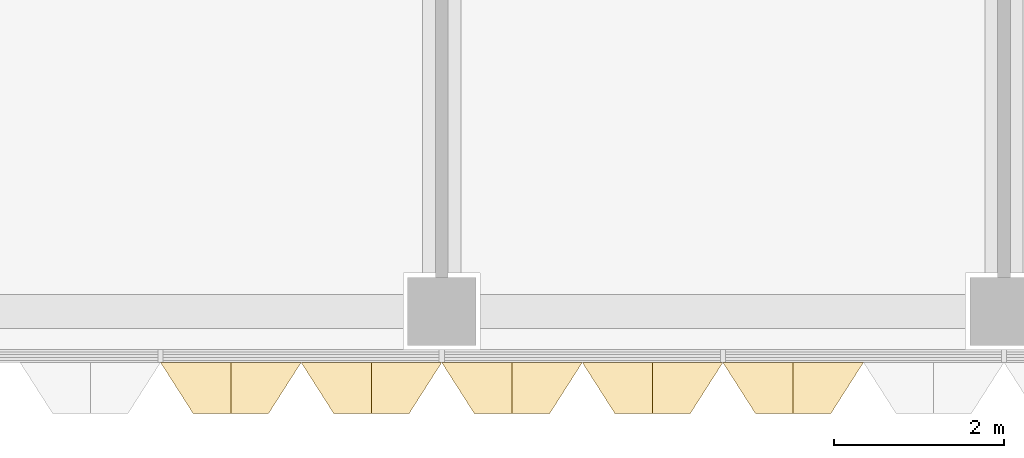
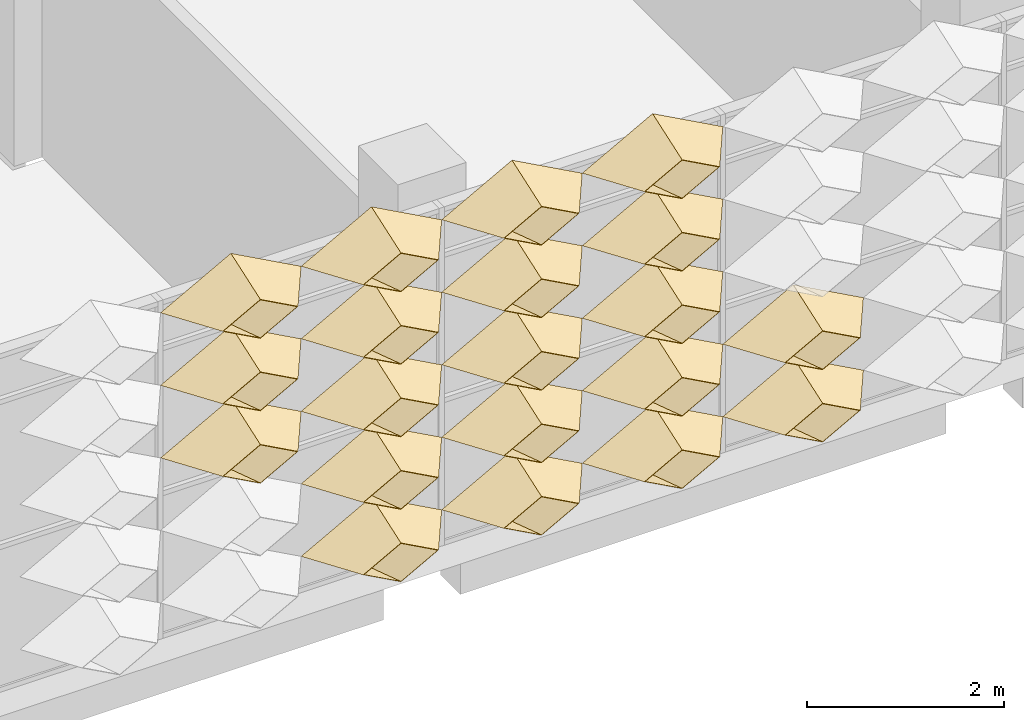
# One storey, part 60 of 85: 20 coverings.
"""IFC4 building model written with IfcOpenShell, lengths in metres."""

from ifc_helpers import new_model, entity, si_unit, direction, frame, origin, place, context, subcontext, project, spatial, material, layer, layer_set, type_object, element, save


model = new_model("IFC4")

# Units and contexts
model_context = context("Model", 3, precision=1e-05, world=origin(), true_north=direction((0.0, 1.0)))
body_context = subcontext(model_context, "Body", "Model", "MODEL_VIEW")
ifc_project = project(units=[si_unit("LENGTHUNIT", "METRE"), si_unit("AREAUNIT", "SQUARE_METRE"), si_unit("VOLUMEUNIT", "CUBIC_METRE"), si_unit("PLANEANGLEUNIT", "RADIAN"), si_unit("MASSUNIT", "GRAM", prefix="KILO")], contexts=[model_context])

# Site, building, storey
site_placement = place(None, origin())
site = spatial("IfcSite", under=ifc_project, at=site_placement, CompositionType="ELEMENT")
building_placement = place(site_placement, origin())
building = spatial("IfcBuilding", under=site, at=building_placement, Name="Lantern Court Research Institute", CompositionType="ELEMENT")
storey_placement = place(building_placement, frame((0.0, 0.0, 18.89990234375)))
storey = spatial("IfcBuildingStorey", under=building, at=storey_placement, Name="L04", CompositionType="ELEMENT", Elevation=18.89990234375)

# Coverings
ifc_material = material(Name="Anodised aluminium", Category="aluminium")
ifc_layer = layer(ifc_material, 0.01611328125)
ifc_layer_set = layer_set([ifc_layer], Name="Anodised aluminium")
covering_type = type_object("IfcCoveringType", Name="Fin cassette 1650 x 900 x 600 aluminium", PredefinedType="CLADDING", material=ifc_layer_set)
covering_1_placement = place(storey_placement, frame((65.175048828125, -8.39990234375, 0.4501953125), z_axis=(0.0, -1.0, 0.0), x_axis=(1.0, 0.0, 0.0)))
cartesian_point_1 = entity("IfcCartesianPoint", [0.824951171875, 0.0])
cartesian_point_2 = entity("IfcCartesianPoint", [0.79150390625, 0.0])
cartesian_point_3 = entity("IfcCartesianPoint", [0.44189453125, 0.0])
cartesian_point_4 = entity("IfcCartesianPoint", [0.43359375, 0.0])
element("IfcCovering", 1, at=covering_1_placement, inside=storey, type_object=covering_type, Name="Fin cassette V5S-L04 1.40", PredefinedType="CLADDING", context=body_context, shape_type="SweptSolid", body=[
    entity("IfcExtrudedAreaSolidTapered", entity("IfcArbitraryProfileDefWithVoids", "AREA", None, entity("IfcPolyline", [cartesian_point_1, entity("IfcCartesianPoint", [0.0, 0.449951171875]), entity("IfcCartesianPoint", [-0.824951171875, 0.0]), entity("IfcCartesianPoint", [0.0, -0.449951171875]), cartesian_point_1]), [entity("IfcPolyline", [cartesian_point_2, entity("IfcCartesianPoint", [0.0, 0.431884765625]), entity("IfcCartesianPoint", [-0.79150390625, 0.0]), entity("IfcCartesianPoint", [0.0, -0.431884765625]), cartesian_point_2])]), entity("IfcAxis2Placement3D", entity("IfcCartesianPoint", [0.0, 0.0, 0.0])), entity("IfcDirection", [0.0, 0.0, 1.0]), 0.60009765625, entity("IfcArbitraryProfileDefWithVoids", "AREA", None, entity("IfcPolyline", [cartesian_point_3, entity("IfcCartesianPoint", [0.0, 0.240966796875]), entity("IfcCartesianPoint", [-0.44189453125, 0.0]), entity("IfcCartesianPoint", [0.0, -0.240966796875]), cartesian_point_3]), [entity("IfcPolyline", [cartesian_point_4, entity("IfcCartesianPoint", [0.0, 0.236572265625]), entity("IfcCartesianPoint", [-0.43359375, 0.0]), entity("IfcCartesianPoint", [0.0, -0.236572265625]), cartesian_point_4])])),
])
covering_2_placement = place(storey_placement, frame((66.824951171875, -8.39990234375, 0.4501953125), z_axis=(0.0, -1.0, 0.0), x_axis=(1.0, 0.0, 0.0)))
cartesian_point_5 = entity("IfcCartesianPoint", [0.824951171875, 0.0])
cartesian_point_6 = entity("IfcCartesianPoint", [0.79150390625, 0.0])
cartesian_point_7 = entity("IfcCartesianPoint", [0.44189453125, 0.0])
cartesian_point_8 = entity("IfcCartesianPoint", [0.43359375, 0.0])
element("IfcCovering", 2, at=covering_2_placement, inside=storey, type_object=covering_type, Name="Fin cassette V5S-L04 1.41", PredefinedType="CLADDING", context=body_context, shape_type="SweptSolid", body=[
    entity("IfcExtrudedAreaSolidTapered", entity("IfcArbitraryProfileDefWithVoids", "AREA", None, entity("IfcPolyline", [cartesian_point_5, entity("IfcCartesianPoint", [0.0, 0.449951171875]), entity("IfcCartesianPoint", [-0.824951171875, 0.0]), entity("IfcCartesianPoint", [0.0, -0.449951171875]), cartesian_point_5]), [entity("IfcPolyline", [cartesian_point_6, entity("IfcCartesianPoint", [0.0, 0.431884765625]), entity("IfcCartesianPoint", [-0.79150390625, 0.0]), entity("IfcCartesianPoint", [0.0, -0.431884765625]), cartesian_point_6])]), entity("IfcAxis2Placement3D", entity("IfcCartesianPoint", [0.0, 0.0, 0.0])), entity("IfcDirection", [0.0, 0.0, 1.0]), 0.60009765625, entity("IfcArbitraryProfileDefWithVoids", "AREA", None, entity("IfcPolyline", [cartesian_point_7, entity("IfcCartesianPoint", [0.0, 0.240966796875]), entity("IfcCartesianPoint", [-0.44189453125, 0.0]), entity("IfcCartesianPoint", [0.0, -0.240966796875]), cartesian_point_7]), [entity("IfcPolyline", [cartesian_point_8, entity("IfcCartesianPoint", [0.0, 0.236572265625]), entity("IfcCartesianPoint", [-0.43359375, 0.0]), entity("IfcCartesianPoint", [0.0, -0.236572265625]), cartesian_point_8])])),
])
covering_3_placement = place(storey_placement, frame((68.47509765625, -8.39990234375, 0.4501953125), z_axis=(0.0, -1.0, 0.0), x_axis=(1.0, 0.0, 0.0)))
cartesian_point_9 = entity("IfcCartesianPoint", [0.824951171875, 0.0])
cartesian_point_10 = entity("IfcCartesianPoint", [0.79150390625, 0.0])
cartesian_point_11 = entity("IfcCartesianPoint", [0.44189453125, 0.0])
cartesian_point_12 = entity("IfcCartesianPoint", [0.43359375, 0.0])
element("IfcCovering", 3, at=covering_3_placement, inside=storey, type_object=covering_type, Name="Fin cassette V5S-L04 1.42", PredefinedType="CLADDING", context=body_context, shape_type="SweptSolid", body=[
    entity("IfcExtrudedAreaSolidTapered", entity("IfcArbitraryProfileDefWithVoids", "AREA", None, entity("IfcPolyline", [cartesian_point_9, entity("IfcCartesianPoint", [0.0, 0.449951171875]), entity("IfcCartesianPoint", [-0.824951171875, 0.0]), entity("IfcCartesianPoint", [0.0, -0.449951171875]), cartesian_point_9]), [entity("IfcPolyline", [cartesian_point_10, entity("IfcCartesianPoint", [0.0, 0.431884765625]), entity("IfcCartesianPoint", [-0.79150390625, 0.0]), entity("IfcCartesianPoint", [0.0, -0.431884765625]), cartesian_point_10])]), entity("IfcAxis2Placement3D", entity("IfcCartesianPoint", [0.0, 0.0, 0.0])), entity("IfcDirection", [0.0, 0.0, 1.0]), 0.60009765625, entity("IfcArbitraryProfileDefWithVoids", "AREA", None, entity("IfcPolyline", [cartesian_point_11, entity("IfcCartesianPoint", [0.0, 0.240966796875]), entity("IfcCartesianPoint", [-0.44189453125, 0.0]), entity("IfcCartesianPoint", [0.0, -0.240966796875]), cartesian_point_11]), [entity("IfcPolyline", [cartesian_point_12, entity("IfcCartesianPoint", [0.0, 0.236572265625]), entity("IfcCartesianPoint", [-0.43359375, 0.0]), entity("IfcCartesianPoint", [0.0, -0.236572265625]), cartesian_point_12])])),
])
covering_4_placement = place(storey_placement, frame((70.125, -8.39990234375, 0.4501953125), z_axis=(0.0, -1.0, 0.0), x_axis=(1.0, 0.0, 0.0)))
cartesian_point_13 = entity("IfcCartesianPoint", [0.824951171875, 0.0])
cartesian_point_14 = entity("IfcCartesianPoint", [0.79150390625, 0.0])
cartesian_point_15 = entity("IfcCartesianPoint", [0.44189453125, 0.0])
cartesian_point_16 = entity("IfcCartesianPoint", [0.43359375, 0.0])
element("IfcCovering", 4, at=covering_4_placement, inside=storey, type_object=covering_type, Name="Fin cassette V5S-L04 1.43", PredefinedType="CLADDING", context=body_context, shape_type="SweptSolid", body=[
    entity("IfcExtrudedAreaSolidTapered", entity("IfcArbitraryProfileDefWithVoids", "AREA", None, entity("IfcPolyline", [cartesian_point_13, entity("IfcCartesianPoint", [0.0, 0.449951171875]), entity("IfcCartesianPoint", [-0.824951171875, 0.0]), entity("IfcCartesianPoint", [0.0, -0.449951171875]), cartesian_point_13]), [entity("IfcPolyline", [cartesian_point_14, entity("IfcCartesianPoint", [0.0, 0.431884765625]), entity("IfcCartesianPoint", [-0.79150390625, 0.0]), entity("IfcCartesianPoint", [0.0, -0.431884765625]), cartesian_point_14])]), entity("IfcAxis2Placement3D", entity("IfcCartesianPoint", [0.0, 0.0, 0.0])), entity("IfcDirection", [0.0, 0.0, 1.0]), 0.60009765625, entity("IfcArbitraryProfileDefWithVoids", "AREA", None, entity("IfcPolyline", [cartesian_point_15, entity("IfcCartesianPoint", [0.0, 0.240966796875]), entity("IfcCartesianPoint", [-0.44189453125, 0.0]), entity("IfcCartesianPoint", [0.0, -0.240966796875]), cartesian_point_15]), [entity("IfcPolyline", [cartesian_point_16, entity("IfcCartesianPoint", [0.0, 0.236572265625]), entity("IfcCartesianPoint", [-0.43359375, 0.0]), entity("IfcCartesianPoint", [0.0, -0.236572265625]), cartesian_point_16])])),
])
covering_5_placement = place(storey_placement, frame((65.175048828125, -8.39990234375, 1.35009765625), z_axis=(0.0, -1.0, 0.0), x_axis=(1.0, 0.0, 0.0)))
cartesian_point_17 = entity("IfcCartesianPoint", [0.824951171875, 0.0])
cartesian_point_18 = entity("IfcCartesianPoint", [0.79150390625, 0.0])
cartesian_point_19 = entity("IfcCartesianPoint", [0.44189453125, 0.0])
cartesian_point_20 = entity("IfcCartesianPoint", [0.43359375, 0.0])
element("IfcCovering", 5, at=covering_5_placement, inside=storey, type_object=covering_type, Name="Fin cassette V5S-L04 2.40", PredefinedType="CLADDING", context=body_context, shape_type="SweptSolid", body=[
    entity("IfcExtrudedAreaSolidTapered", entity("IfcArbitraryProfileDefWithVoids", "AREA", None, entity("IfcPolyline", [cartesian_point_17, entity("IfcCartesianPoint", [0.0, 0.449951171875]), entity("IfcCartesianPoint", [-0.824951171875, 0.0]), entity("IfcCartesianPoint", [0.0, -0.449951171875]), cartesian_point_17]), [entity("IfcPolyline", [cartesian_point_18, entity("IfcCartesianPoint", [0.0, 0.431884765625]), entity("IfcCartesianPoint", [-0.79150390625, 0.0]), entity("IfcCartesianPoint", [0.0, -0.431884765625]), cartesian_point_18])]), entity("IfcAxis2Placement3D", entity("IfcCartesianPoint", [0.0, 0.0, 0.0])), entity("IfcDirection", [0.0, 0.0, 1.0]), 0.60009765625, entity("IfcArbitraryProfileDefWithVoids", "AREA", None, entity("IfcPolyline", [cartesian_point_19, entity("IfcCartesianPoint", [0.0, 0.240966796875]), entity("IfcCartesianPoint", [-0.44189453125, 0.0]), entity("IfcCartesianPoint", [0.0, -0.240966796875]), cartesian_point_19]), [entity("IfcPolyline", [cartesian_point_20, entity("IfcCartesianPoint", [0.0, 0.236572265625]), entity("IfcCartesianPoint", [-0.43359375, 0.0]), entity("IfcCartesianPoint", [0.0, -0.236572265625]), cartesian_point_20])])),
])
covering_6_placement = place(storey_placement, frame((66.824951171875, -8.39990234375, 1.35009765625), z_axis=(0.0, -1.0, 0.0), x_axis=(1.0, 0.0, 0.0)))
cartesian_point_21 = entity("IfcCartesianPoint", [0.824951171875, 0.0])
cartesian_point_22 = entity("IfcCartesianPoint", [0.79150390625, 0.0])
cartesian_point_23 = entity("IfcCartesianPoint", [0.44189453125, 0.0])
cartesian_point_24 = entity("IfcCartesianPoint", [0.43359375, 0.0])
element("IfcCovering", 6, at=covering_6_placement, inside=storey, type_object=covering_type, Name="Fin cassette V5S-L04 2.41", PredefinedType="CLADDING", context=body_context, shape_type="SweptSolid", body=[
    entity("IfcExtrudedAreaSolidTapered", entity("IfcArbitraryProfileDefWithVoids", "AREA", None, entity("IfcPolyline", [cartesian_point_21, entity("IfcCartesianPoint", [0.0, 0.449951171875]), entity("IfcCartesianPoint", [-0.824951171875, 0.0]), entity("IfcCartesianPoint", [0.0, -0.449951171875]), cartesian_point_21]), [entity("IfcPolyline", [cartesian_point_22, entity("IfcCartesianPoint", [0.0, 0.431884765625]), entity("IfcCartesianPoint", [-0.79150390625, 0.0]), entity("IfcCartesianPoint", [0.0, -0.431884765625]), cartesian_point_22])]), entity("IfcAxis2Placement3D", entity("IfcCartesianPoint", [0.0, 0.0, 0.0])), entity("IfcDirection", [0.0, 0.0, 1.0]), 0.60009765625, entity("IfcArbitraryProfileDefWithVoids", "AREA", None, entity("IfcPolyline", [cartesian_point_23, entity("IfcCartesianPoint", [0.0, 0.240966796875]), entity("IfcCartesianPoint", [-0.44189453125, 0.0]), entity("IfcCartesianPoint", [0.0, -0.240966796875]), cartesian_point_23]), [entity("IfcPolyline", [cartesian_point_24, entity("IfcCartesianPoint", [0.0, 0.236572265625]), entity("IfcCartesianPoint", [-0.43359375, 0.0]), entity("IfcCartesianPoint", [0.0, -0.236572265625]), cartesian_point_24])])),
])
covering_7_placement = place(storey_placement, frame((68.47509765625, -8.39990234375, 1.35009765625), z_axis=(0.0, -1.0, 0.0), x_axis=(1.0, 0.0, 0.0)))
cartesian_point_25 = entity("IfcCartesianPoint", [0.824951171875, 0.0])
cartesian_point_26 = entity("IfcCartesianPoint", [0.79150390625, 0.0])
cartesian_point_27 = entity("IfcCartesianPoint", [0.44189453125, 0.0])
cartesian_point_28 = entity("IfcCartesianPoint", [0.43359375, 0.0])
element("IfcCovering", 7, at=covering_7_placement, inside=storey, type_object=covering_type, Name="Fin cassette V5S-L04 2.42", PredefinedType="CLADDING", context=body_context, shape_type="SweptSolid", body=[
    entity("IfcExtrudedAreaSolidTapered", entity("IfcArbitraryProfileDefWithVoids", "AREA", None, entity("IfcPolyline", [cartesian_point_25, entity("IfcCartesianPoint", [0.0, 0.449951171875]), entity("IfcCartesianPoint", [-0.824951171875, 0.0]), entity("IfcCartesianPoint", [0.0, -0.449951171875]), cartesian_point_25]), [entity("IfcPolyline", [cartesian_point_26, entity("IfcCartesianPoint", [0.0, 0.431884765625]), entity("IfcCartesianPoint", [-0.79150390625, 0.0]), entity("IfcCartesianPoint", [0.0, -0.431884765625]), cartesian_point_26])]), entity("IfcAxis2Placement3D", entity("IfcCartesianPoint", [0.0, 0.0, 0.0])), entity("IfcDirection", [0.0, 0.0, 1.0]), 0.60009765625, entity("IfcArbitraryProfileDefWithVoids", "AREA", None, entity("IfcPolyline", [cartesian_point_27, entity("IfcCartesianPoint", [0.0, 0.240966796875]), entity("IfcCartesianPoint", [-0.44189453125, 0.0]), entity("IfcCartesianPoint", [0.0, -0.240966796875]), cartesian_point_27]), [entity("IfcPolyline", [cartesian_point_28, entity("IfcCartesianPoint", [0.0, 0.236572265625]), entity("IfcCartesianPoint", [-0.43359375, 0.0]), entity("IfcCartesianPoint", [0.0, -0.236572265625]), cartesian_point_28])])),
])
covering_8_placement = place(storey_placement, frame((70.125, -8.39990234375, 1.35009765625), z_axis=(0.0, -1.0, 0.0), x_axis=(1.0, 0.0, 0.0)))
cartesian_point_29 = entity("IfcCartesianPoint", [0.824951171875, 0.0])
cartesian_point_30 = entity("IfcCartesianPoint", [0.79150390625, 0.0])
cartesian_point_31 = entity("IfcCartesianPoint", [0.44189453125, 0.0])
cartesian_point_32 = entity("IfcCartesianPoint", [0.43359375, 0.0])
element("IfcCovering", 8, at=covering_8_placement, inside=storey, type_object=covering_type, Name="Fin cassette V5S-L04 2.43", PredefinedType="CLADDING", context=body_context, shape_type="SweptSolid", body=[
    entity("IfcExtrudedAreaSolidTapered", entity("IfcArbitraryProfileDefWithVoids", "AREA", None, entity("IfcPolyline", [cartesian_point_29, entity("IfcCartesianPoint", [0.0, 0.449951171875]), entity("IfcCartesianPoint", [-0.824951171875, 0.0]), entity("IfcCartesianPoint", [0.0, -0.449951171875]), cartesian_point_29]), [entity("IfcPolyline", [cartesian_point_30, entity("IfcCartesianPoint", [0.0, 0.431884765625]), entity("IfcCartesianPoint", [-0.79150390625, 0.0]), entity("IfcCartesianPoint", [0.0, -0.431884765625]), cartesian_point_30])]), entity("IfcAxis2Placement3D", entity("IfcCartesianPoint", [0.0, 0.0, 0.0])), entity("IfcDirection", [0.0, 0.0, 1.0]), 0.60009765625, entity("IfcArbitraryProfileDefWithVoids", "AREA", None, entity("IfcPolyline", [cartesian_point_31, entity("IfcCartesianPoint", [0.0, 0.240966796875]), entity("IfcCartesianPoint", [-0.44189453125, 0.0]), entity("IfcCartesianPoint", [0.0, -0.240966796875]), cartesian_point_31]), [entity("IfcPolyline", [cartesian_point_32, entity("IfcCartesianPoint", [0.0, 0.236572265625]), entity("IfcCartesianPoint", [-0.43359375, 0.0]), entity("IfcCartesianPoint", [0.0, -0.236572265625]), cartesian_point_32])])),
])
covering_9_placement = place(storey_placement, frame((63.52490234375, -8.39990234375, 2.25), z_axis=(0.0, -1.0, 0.0), x_axis=(1.0, 0.0, 0.0)))
cartesian_point_33 = entity("IfcCartesianPoint", [0.824951171875, 0.0])
cartesian_point_34 = entity("IfcCartesianPoint", [0.79150390625, 0.0])
cartesian_point_35 = entity("IfcCartesianPoint", [0.44189453125, 0.0])
cartesian_point_36 = entity("IfcCartesianPoint", [0.43359375, 0.0])
element("IfcCovering", 9, at=covering_9_placement, inside=storey, type_object=covering_type, Name="Fin cassette V5S-L04 3.39", PredefinedType="CLADDING", context=body_context, shape_type="SweptSolid", body=[
    entity("IfcExtrudedAreaSolidTapered", entity("IfcArbitraryProfileDefWithVoids", "AREA", None, entity("IfcPolyline", [cartesian_point_33, entity("IfcCartesianPoint", [0.0, 0.449951171875]), entity("IfcCartesianPoint", [-0.824951171875, 0.0]), entity("IfcCartesianPoint", [0.0, -0.449951171875]), cartesian_point_33]), [entity("IfcPolyline", [cartesian_point_34, entity("IfcCartesianPoint", [0.0, 0.431884765625]), entity("IfcCartesianPoint", [-0.79150390625, 0.0]), entity("IfcCartesianPoint", [0.0, -0.431884765625]), cartesian_point_34])]), entity("IfcAxis2Placement3D", entity("IfcCartesianPoint", [0.0, 0.0, 0.0])), entity("IfcDirection", [0.0, 0.0, 1.0]), 0.60009765625, entity("IfcArbitraryProfileDefWithVoids", "AREA", None, entity("IfcPolyline", [cartesian_point_35, entity("IfcCartesianPoint", [0.0, 0.240966796875]), entity("IfcCartesianPoint", [-0.44189453125, 0.0]), entity("IfcCartesianPoint", [0.0, -0.240966796875]), cartesian_point_35]), [entity("IfcPolyline", [cartesian_point_36, entity("IfcCartesianPoint", [0.0, 0.236572265625]), entity("IfcCartesianPoint", [-0.43359375, 0.0]), entity("IfcCartesianPoint", [0.0, -0.236572265625]), cartesian_point_36])])),
])
covering_10_placement = place(storey_placement, frame((65.175048828125, -8.39990234375, 2.25), z_axis=(0.0, -1.0, 0.0), x_axis=(1.0, 0.0, 0.0)))
cartesian_point_37 = entity("IfcCartesianPoint", [0.824951171875, 0.0])
cartesian_point_38 = entity("IfcCartesianPoint", [0.79150390625, 0.0])
cartesian_point_39 = entity("IfcCartesianPoint", [0.44189453125, 0.0])
cartesian_point_40 = entity("IfcCartesianPoint", [0.43359375, 0.0])
element("IfcCovering", 10, at=covering_10_placement, inside=storey, type_object=covering_type, Name="Fin cassette V5S-L04 3.40", PredefinedType="CLADDING", context=body_context, shape_type="SweptSolid", body=[
    entity("IfcExtrudedAreaSolidTapered", entity("IfcArbitraryProfileDefWithVoids", "AREA", None, entity("IfcPolyline", [cartesian_point_37, entity("IfcCartesianPoint", [0.0, 0.449951171875]), entity("IfcCartesianPoint", [-0.824951171875, 0.0]), entity("IfcCartesianPoint", [0.0, -0.449951171875]), cartesian_point_37]), [entity("IfcPolyline", [cartesian_point_38, entity("IfcCartesianPoint", [0.0, 0.431884765625]), entity("IfcCartesianPoint", [-0.79150390625, 0.0]), entity("IfcCartesianPoint", [0.0, -0.431884765625]), cartesian_point_38])]), entity("IfcAxis2Placement3D", entity("IfcCartesianPoint", [0.0, 0.0, 0.0])), entity("IfcDirection", [0.0, 0.0, 1.0]), 0.60009765625, entity("IfcArbitraryProfileDefWithVoids", "AREA", None, entity("IfcPolyline", [cartesian_point_39, entity("IfcCartesianPoint", [0.0, 0.240966796875]), entity("IfcCartesianPoint", [-0.44189453125, 0.0]), entity("IfcCartesianPoint", [0.0, -0.240966796875]), cartesian_point_39]), [entity("IfcPolyline", [cartesian_point_40, entity("IfcCartesianPoint", [0.0, 0.236572265625]), entity("IfcCartesianPoint", [-0.43359375, 0.0]), entity("IfcCartesianPoint", [0.0, -0.236572265625]), cartesian_point_40])])),
])
covering_11_placement = place(storey_placement, frame((66.824951171875, -8.39990234375, 2.25), z_axis=(0.0, -1.0, 0.0), x_axis=(1.0, 0.0, 0.0)))
cartesian_point_41 = entity("IfcCartesianPoint", [0.824951171875, 0.0])
cartesian_point_42 = entity("IfcCartesianPoint", [0.79150390625, 0.0])
cartesian_point_43 = entity("IfcCartesianPoint", [0.44189453125, 0.0])
cartesian_point_44 = entity("IfcCartesianPoint", [0.43359375, 0.0])
element("IfcCovering", 11, at=covering_11_placement, inside=storey, type_object=covering_type, Name="Fin cassette V5S-L04 3.41", PredefinedType="CLADDING", context=body_context, shape_type="SweptSolid", body=[
    entity("IfcExtrudedAreaSolidTapered", entity("IfcArbitraryProfileDefWithVoids", "AREA", None, entity("IfcPolyline", [cartesian_point_41, entity("IfcCartesianPoint", [0.0, 0.449951171875]), entity("IfcCartesianPoint", [-0.824951171875, 0.0]), entity("IfcCartesianPoint", [0.0, -0.449951171875]), cartesian_point_41]), [entity("IfcPolyline", [cartesian_point_42, entity("IfcCartesianPoint", [0.0, 0.431884765625]), entity("IfcCartesianPoint", [-0.79150390625, 0.0]), entity("IfcCartesianPoint", [0.0, -0.431884765625]), cartesian_point_42])]), entity("IfcAxis2Placement3D", entity("IfcCartesianPoint", [0.0, 0.0, 0.0])), entity("IfcDirection", [0.0, 0.0, 1.0]), 0.60009765625, entity("IfcArbitraryProfileDefWithVoids", "AREA", None, entity("IfcPolyline", [cartesian_point_43, entity("IfcCartesianPoint", [0.0, 0.240966796875]), entity("IfcCartesianPoint", [-0.44189453125, 0.0]), entity("IfcCartesianPoint", [0.0, -0.240966796875]), cartesian_point_43]), [entity("IfcPolyline", [cartesian_point_44, entity("IfcCartesianPoint", [0.0, 0.236572265625]), entity("IfcCartesianPoint", [-0.43359375, 0.0]), entity("IfcCartesianPoint", [0.0, -0.236572265625]), cartesian_point_44])])),
])
covering_12_placement = place(storey_placement, frame((68.47509765625, -8.39990234375, 2.25), z_axis=(0.0, -1.0, 0.0), x_axis=(1.0, 0.0, 0.0)))
cartesian_point_45 = entity("IfcCartesianPoint", [0.824951171875, 0.0])
cartesian_point_46 = entity("IfcCartesianPoint", [0.79150390625, 0.0])
cartesian_point_47 = entity("IfcCartesianPoint", [0.44189453125, 0.0])
cartesian_point_48 = entity("IfcCartesianPoint", [0.43359375, 0.0])
element("IfcCovering", 12, at=covering_12_placement, inside=storey, type_object=covering_type, Name="Fin cassette V5S-L04 3.42", PredefinedType="CLADDING", context=body_context, shape_type="SweptSolid", body=[
    entity("IfcExtrudedAreaSolidTapered", entity("IfcArbitraryProfileDefWithVoids", "AREA", None, entity("IfcPolyline", [cartesian_point_45, entity("IfcCartesianPoint", [0.0, 0.449951171875]), entity("IfcCartesianPoint", [-0.824951171875, 0.0]), entity("IfcCartesianPoint", [0.0, -0.449951171875]), cartesian_point_45]), [entity("IfcPolyline", [cartesian_point_46, entity("IfcCartesianPoint", [0.0, 0.431884765625]), entity("IfcCartesianPoint", [-0.79150390625, 0.0]), entity("IfcCartesianPoint", [0.0, -0.431884765625]), cartesian_point_46])]), entity("IfcAxis2Placement3D", entity("IfcCartesianPoint", [0.0, 0.0, 0.0])), entity("IfcDirection", [0.0, 0.0, 1.0]), 0.60009765625, entity("IfcArbitraryProfileDefWithVoids", "AREA", None, entity("IfcPolyline", [cartesian_point_47, entity("IfcCartesianPoint", [0.0, 0.240966796875]), entity("IfcCartesianPoint", [-0.44189453125, 0.0]), entity("IfcCartesianPoint", [0.0, -0.240966796875]), cartesian_point_47]), [entity("IfcPolyline", [cartesian_point_48, entity("IfcCartesianPoint", [0.0, 0.236572265625]), entity("IfcCartesianPoint", [-0.43359375, 0.0]), entity("IfcCartesianPoint", [0.0, -0.236572265625]), cartesian_point_48])])),
])
covering_13_placement = place(storey_placement, frame((63.52490234375, -8.39990234375, 3.150146484375), z_axis=(0.0, -1.0, 0.0), x_axis=(1.0, 0.0, 0.0)))
cartesian_point_49 = entity("IfcCartesianPoint", [0.824951171875, 0.0])
cartesian_point_50 = entity("IfcCartesianPoint", [0.79150390625, 0.0])
cartesian_point_51 = entity("IfcCartesianPoint", [0.44189453125, 0.0])
cartesian_point_52 = entity("IfcCartesianPoint", [0.43359375, 0.0])
element("IfcCovering", 13, at=covering_13_placement, inside=storey, type_object=covering_type, Name="Fin cassette V5S-L04 4.39", PredefinedType="CLADDING", context=body_context, shape_type="SweptSolid", body=[
    entity("IfcExtrudedAreaSolidTapered", entity("IfcArbitraryProfileDefWithVoids", "AREA", None, entity("IfcPolyline", [cartesian_point_49, entity("IfcCartesianPoint", [0.0, 0.449951171875]), entity("IfcCartesianPoint", [-0.824951171875, 0.0]), entity("IfcCartesianPoint", [0.0, -0.449951171875]), cartesian_point_49]), [entity("IfcPolyline", [cartesian_point_50, entity("IfcCartesianPoint", [0.0, 0.431884765625]), entity("IfcCartesianPoint", [-0.79150390625, 0.0]), entity("IfcCartesianPoint", [0.0, -0.431884765625]), cartesian_point_50])]), entity("IfcAxis2Placement3D", entity("IfcCartesianPoint", [0.0, 0.0, 0.0])), entity("IfcDirection", [0.0, 0.0, 1.0]), 0.60009765625, entity("IfcArbitraryProfileDefWithVoids", "AREA", None, entity("IfcPolyline", [cartesian_point_51, entity("IfcCartesianPoint", [0.0, 0.240966796875]), entity("IfcCartesianPoint", [-0.44189453125, 0.0]), entity("IfcCartesianPoint", [0.0, -0.240966796875]), cartesian_point_51]), [entity("IfcPolyline", [cartesian_point_52, entity("IfcCartesianPoint", [0.0, 0.236572265625]), entity("IfcCartesianPoint", [-0.43359375, 0.0]), entity("IfcCartesianPoint", [0.0, -0.236572265625]), cartesian_point_52])])),
])
covering_14_placement = place(storey_placement, frame((65.175048828125, -8.39990234375, 3.150146484375), z_axis=(0.0, -1.0, 0.0), x_axis=(1.0, 0.0, 0.0)))
cartesian_point_53 = entity("IfcCartesianPoint", [0.824951171875, 0.0])
cartesian_point_54 = entity("IfcCartesianPoint", [0.79150390625, 0.0])
cartesian_point_55 = entity("IfcCartesianPoint", [0.44189453125, 0.0])
cartesian_point_56 = entity("IfcCartesianPoint", [0.43359375, 0.0])
element("IfcCovering", 14, at=covering_14_placement, inside=storey, type_object=covering_type, Name="Fin cassette V5S-L04 4.40", PredefinedType="CLADDING", context=body_context, shape_type="SweptSolid", body=[
    entity("IfcExtrudedAreaSolidTapered", entity("IfcArbitraryProfileDefWithVoids", "AREA", None, entity("IfcPolyline", [cartesian_point_53, entity("IfcCartesianPoint", [0.0, 0.449951171875]), entity("IfcCartesianPoint", [-0.824951171875, 0.0]), entity("IfcCartesianPoint", [0.0, -0.449951171875]), cartesian_point_53]), [entity("IfcPolyline", [cartesian_point_54, entity("IfcCartesianPoint", [0.0, 0.431884765625]), entity("IfcCartesianPoint", [-0.79150390625, 0.0]), entity("IfcCartesianPoint", [0.0, -0.431884765625]), cartesian_point_54])]), entity("IfcAxis2Placement3D", entity("IfcCartesianPoint", [0.0, 0.0, 0.0])), entity("IfcDirection", [0.0, 0.0, 1.0]), 0.60009765625, entity("IfcArbitraryProfileDefWithVoids", "AREA", None, entity("IfcPolyline", [cartesian_point_55, entity("IfcCartesianPoint", [0.0, 0.240966796875]), entity("IfcCartesianPoint", [-0.44189453125, 0.0]), entity("IfcCartesianPoint", [0.0, -0.240966796875]), cartesian_point_55]), [entity("IfcPolyline", [cartesian_point_56, entity("IfcCartesianPoint", [0.0, 0.236572265625]), entity("IfcCartesianPoint", [-0.43359375, 0.0]), entity("IfcCartesianPoint", [0.0, -0.236572265625]), cartesian_point_56])])),
])
covering_15_placement = place(storey_placement, frame((66.824951171875, -8.39990234375, 3.150146484375), z_axis=(0.0, -1.0, 0.0), x_axis=(1.0, 0.0, 0.0)))
cartesian_point_57 = entity("IfcCartesianPoint", [0.824951171875, 0.0])
cartesian_point_58 = entity("IfcCartesianPoint", [0.79150390625, 0.0])
cartesian_point_59 = entity("IfcCartesianPoint", [0.44189453125, 0.0])
cartesian_point_60 = entity("IfcCartesianPoint", [0.43359375, 0.0])
element("IfcCovering", 15, at=covering_15_placement, inside=storey, type_object=covering_type, Name="Fin cassette V5S-L04 4.41", PredefinedType="CLADDING", context=body_context, shape_type="SweptSolid", body=[
    entity("IfcExtrudedAreaSolidTapered", entity("IfcArbitraryProfileDefWithVoids", "AREA", None, entity("IfcPolyline", [cartesian_point_57, entity("IfcCartesianPoint", [0.0, 0.449951171875]), entity("IfcCartesianPoint", [-0.824951171875, 0.0]), entity("IfcCartesianPoint", [0.0, -0.449951171875]), cartesian_point_57]), [entity("IfcPolyline", [cartesian_point_58, entity("IfcCartesianPoint", [0.0, 0.431884765625]), entity("IfcCartesianPoint", [-0.79150390625, 0.0]), entity("IfcCartesianPoint", [0.0, -0.431884765625]), cartesian_point_58])]), entity("IfcAxis2Placement3D", entity("IfcCartesianPoint", [0.0, 0.0, 0.0])), entity("IfcDirection", [0.0, 0.0, 1.0]), 0.60009765625, entity("IfcArbitraryProfileDefWithVoids", "AREA", None, entity("IfcPolyline", [cartesian_point_59, entity("IfcCartesianPoint", [0.0, 0.240966796875]), entity("IfcCartesianPoint", [-0.44189453125, 0.0]), entity("IfcCartesianPoint", [0.0, -0.240966796875]), cartesian_point_59]), [entity("IfcPolyline", [cartesian_point_60, entity("IfcCartesianPoint", [0.0, 0.236572265625]), entity("IfcCartesianPoint", [-0.43359375, 0.0]), entity("IfcCartesianPoint", [0.0, -0.236572265625]), cartesian_point_60])])),
])
covering_16_placement = place(storey_placement, frame((68.47509765625, -8.39990234375, 3.150146484375), z_axis=(0.0, -1.0, 0.0), x_axis=(1.0, 0.0, 0.0)))
cartesian_point_61 = entity("IfcCartesianPoint", [0.824951171875, 0.0])
cartesian_point_62 = entity("IfcCartesianPoint", [0.79150390625, 0.0])
cartesian_point_63 = entity("IfcCartesianPoint", [0.44189453125, 0.0])
cartesian_point_64 = entity("IfcCartesianPoint", [0.43359375, 0.0])
element("IfcCovering", 16, at=covering_16_placement, inside=storey, type_object=covering_type, Name="Fin cassette V5S-L04 4.42", PredefinedType="CLADDING", context=body_context, shape_type="SweptSolid", body=[
    entity("IfcExtrudedAreaSolidTapered", entity("IfcArbitraryProfileDefWithVoids", "AREA", None, entity("IfcPolyline", [cartesian_point_61, entity("IfcCartesianPoint", [0.0, 0.449951171875]), entity("IfcCartesianPoint", [-0.824951171875, 0.0]), entity("IfcCartesianPoint", [0.0, -0.449951171875]), cartesian_point_61]), [entity("IfcPolyline", [cartesian_point_62, entity("IfcCartesianPoint", [0.0, 0.431884765625]), entity("IfcCartesianPoint", [-0.79150390625, 0.0]), entity("IfcCartesianPoint", [0.0, -0.431884765625]), cartesian_point_62])]), entity("IfcAxis2Placement3D", entity("IfcCartesianPoint", [0.0, 0.0, 0.0])), entity("IfcDirection", [0.0, 0.0, 1.0]), 0.60009765625, entity("IfcArbitraryProfileDefWithVoids", "AREA", None, entity("IfcPolyline", [cartesian_point_63, entity("IfcCartesianPoint", [0.0, 0.240966796875]), entity("IfcCartesianPoint", [-0.44189453125, 0.0]), entity("IfcCartesianPoint", [0.0, -0.240966796875]), cartesian_point_63]), [entity("IfcPolyline", [cartesian_point_64, entity("IfcCartesianPoint", [0.0, 0.236572265625]), entity("IfcCartesianPoint", [-0.43359375, 0.0]), entity("IfcCartesianPoint", [0.0, -0.236572265625]), cartesian_point_64])])),
])
covering_17_placement = place(storey_placement, frame((63.52490234375, -8.39990234375, 4.050048828125), z_axis=(0.0, -1.0, 0.0), x_axis=(1.0, 0.0, 0.0)))
cartesian_point_65 = entity("IfcCartesianPoint", [0.824951171875, 0.0])
cartesian_point_66 = entity("IfcCartesianPoint", [0.79150390625, 0.0])
cartesian_point_67 = entity("IfcCartesianPoint", [0.44189453125, 0.0])
cartesian_point_68 = entity("IfcCartesianPoint", [0.43359375, 0.0])
element("IfcCovering", 17, at=covering_17_placement, inside=storey, type_object=covering_type, Name="Fin cassette V5S-L04 5.39", PredefinedType="CLADDING", context=body_context, shape_type="SweptSolid", body=[
    entity("IfcExtrudedAreaSolidTapered", entity("IfcArbitraryProfileDefWithVoids", "AREA", None, entity("IfcPolyline", [cartesian_point_65, entity("IfcCartesianPoint", [0.0, 0.449951171875]), entity("IfcCartesianPoint", [-0.824951171875, 0.0]), entity("IfcCartesianPoint", [0.0, -0.449951171875]), cartesian_point_65]), [entity("IfcPolyline", [cartesian_point_66, entity("IfcCartesianPoint", [0.0, 0.431884765625]), entity("IfcCartesianPoint", [-0.79150390625, 0.0]), entity("IfcCartesianPoint", [0.0, -0.431884765625]), cartesian_point_66])]), entity("IfcAxis2Placement3D", entity("IfcCartesianPoint", [0.0, 0.0, 0.0])), entity("IfcDirection", [0.0, 0.0, 1.0]), 0.60009765625, entity("IfcArbitraryProfileDefWithVoids", "AREA", None, entity("IfcPolyline", [cartesian_point_67, entity("IfcCartesianPoint", [0.0, 0.240966796875]), entity("IfcCartesianPoint", [-0.44189453125, 0.0]), entity("IfcCartesianPoint", [0.0, -0.240966796875]), cartesian_point_67]), [entity("IfcPolyline", [cartesian_point_68, entity("IfcCartesianPoint", [0.0, 0.236572265625]), entity("IfcCartesianPoint", [-0.43359375, 0.0]), entity("IfcCartesianPoint", [0.0, -0.236572265625]), cartesian_point_68])])),
])
covering_18_placement = place(storey_placement, frame((65.175048828125, -8.39990234375, 4.050048828125), z_axis=(0.0, -1.0, 0.0), x_axis=(1.0, 0.0, 0.0)))
cartesian_point_69 = entity("IfcCartesianPoint", [0.824951171875, 0.0])
cartesian_point_70 = entity("IfcCartesianPoint", [0.79150390625, 0.0])
cartesian_point_71 = entity("IfcCartesianPoint", [0.44189453125, 0.0])
cartesian_point_72 = entity("IfcCartesianPoint", [0.43359375, 0.0])
element("IfcCovering", 18, at=covering_18_placement, inside=storey, type_object=covering_type, Name="Fin cassette V5S-L04 5.40", PredefinedType="CLADDING", context=body_context, shape_type="SweptSolid", body=[
    entity("IfcExtrudedAreaSolidTapered", entity("IfcArbitraryProfileDefWithVoids", "AREA", None, entity("IfcPolyline", [cartesian_point_69, entity("IfcCartesianPoint", [0.0, 0.449951171875]), entity("IfcCartesianPoint", [-0.824951171875, 0.0]), entity("IfcCartesianPoint", [0.0, -0.449951171875]), cartesian_point_69]), [entity("IfcPolyline", [cartesian_point_70, entity("IfcCartesianPoint", [0.0, 0.431884765625]), entity("IfcCartesianPoint", [-0.79150390625, 0.0]), entity("IfcCartesianPoint", [0.0, -0.431884765625]), cartesian_point_70])]), entity("IfcAxis2Placement3D", entity("IfcCartesianPoint", [0.0, 0.0, 0.0])), entity("IfcDirection", [0.0, 0.0, 1.0]), 0.60009765625, entity("IfcArbitraryProfileDefWithVoids", "AREA", None, entity("IfcPolyline", [cartesian_point_71, entity("IfcCartesianPoint", [0.0, 0.240966796875]), entity("IfcCartesianPoint", [-0.44189453125, 0.0]), entity("IfcCartesianPoint", [0.0, -0.240966796875]), cartesian_point_71]), [entity("IfcPolyline", [cartesian_point_72, entity("IfcCartesianPoint", [0.0, 0.236572265625]), entity("IfcCartesianPoint", [-0.43359375, 0.0]), entity("IfcCartesianPoint", [0.0, -0.236572265625]), cartesian_point_72])])),
])
covering_19_placement = place(storey_placement, frame((66.824951171875, -8.39990234375, 4.050048828125), z_axis=(0.0, -1.0, 0.0), x_axis=(1.0, 0.0, 0.0)))
cartesian_point_73 = entity("IfcCartesianPoint", [0.824951171875, 0.0])
cartesian_point_74 = entity("IfcCartesianPoint", [0.79150390625, 0.0])
cartesian_point_75 = entity("IfcCartesianPoint", [0.44189453125, 0.0])
cartesian_point_76 = entity("IfcCartesianPoint", [0.43359375, 0.0])
element("IfcCovering", 19, at=covering_19_placement, inside=storey, type_object=covering_type, Name="Fin cassette V5S-L04 5.41", PredefinedType="CLADDING", context=body_context, shape_type="SweptSolid", body=[
    entity("IfcExtrudedAreaSolidTapered", entity("IfcArbitraryProfileDefWithVoids", "AREA", None, entity("IfcPolyline", [cartesian_point_73, entity("IfcCartesianPoint", [0.0, 0.449951171875]), entity("IfcCartesianPoint", [-0.824951171875, 0.0]), entity("IfcCartesianPoint", [0.0, -0.449951171875]), cartesian_point_73]), [entity("IfcPolyline", [cartesian_point_74, entity("IfcCartesianPoint", [0.0, 0.431884765625]), entity("IfcCartesianPoint", [-0.79150390625, 0.0]), entity("IfcCartesianPoint", [0.0, -0.431884765625]), cartesian_point_74])]), entity("IfcAxis2Placement3D", entity("IfcCartesianPoint", [0.0, 0.0, 0.0])), entity("IfcDirection", [0.0, 0.0, 1.0]), 0.60009765625, entity("IfcArbitraryProfileDefWithVoids", "AREA", None, entity("IfcPolyline", [cartesian_point_75, entity("IfcCartesianPoint", [0.0, 0.240966796875]), entity("IfcCartesianPoint", [-0.44189453125, 0.0]), entity("IfcCartesianPoint", [0.0, -0.240966796875]), cartesian_point_75]), [entity("IfcPolyline", [cartesian_point_76, entity("IfcCartesianPoint", [0.0, 0.236572265625]), entity("IfcCartesianPoint", [-0.43359375, 0.0]), entity("IfcCartesianPoint", [0.0, -0.236572265625]), cartesian_point_76])])),
])
covering_20_placement = place(storey_placement, frame((68.47509765625, -8.39990234375, 4.050048828125), z_axis=(0.0, -1.0, 0.0), x_axis=(1.0, 0.0, 0.0)))
cartesian_point_77 = entity("IfcCartesianPoint", [0.824951171875, 0.0])
cartesian_point_78 = entity("IfcCartesianPoint", [0.79150390625, 0.0])
cartesian_point_79 = entity("IfcCartesianPoint", [0.44189453125, 0.0])
cartesian_point_80 = entity("IfcCartesianPoint", [0.43359375, 0.0])
element("IfcCovering", 20, at=covering_20_placement, inside=storey, type_object=covering_type, Name="Fin cassette V5S-L04 5.42", PredefinedType="CLADDING", context=body_context, shape_type="SweptSolid", body=[
    entity("IfcExtrudedAreaSolidTapered", entity("IfcArbitraryProfileDefWithVoids", "AREA", None, entity("IfcPolyline", [cartesian_point_77, entity("IfcCartesianPoint", [0.0, 0.449951171875]), entity("IfcCartesianPoint", [-0.824951171875, 0.0]), entity("IfcCartesianPoint", [0.0, -0.449951171875]), cartesian_point_77]), [entity("IfcPolyline", [cartesian_point_78, entity("IfcCartesianPoint", [0.0, 0.431884765625]), entity("IfcCartesianPoint", [-0.79150390625, 0.0]), entity("IfcCartesianPoint", [0.0, -0.431884765625]), cartesian_point_78])]), entity("IfcAxis2Placement3D", entity("IfcCartesianPoint", [0.0, 0.0, 0.0])), entity("IfcDirection", [0.0, 0.0, 1.0]), 0.60009765625, entity("IfcArbitraryProfileDefWithVoids", "AREA", None, entity("IfcPolyline", [cartesian_point_79, entity("IfcCartesianPoint", [0.0, 0.240966796875]), entity("IfcCartesianPoint", [-0.44189453125, 0.0]), entity("IfcCartesianPoint", [0.0, -0.240966796875]), cartesian_point_79]), [entity("IfcPolyline", [cartesian_point_80, entity("IfcCartesianPoint", [0.0, 0.236572265625]), entity("IfcCartesianPoint", [-0.43359375, 0.0]), entity("IfcCartesianPoint", [0.0, -0.236572265625]), cartesian_point_80])])),
])

save(model, "model.ifc")
